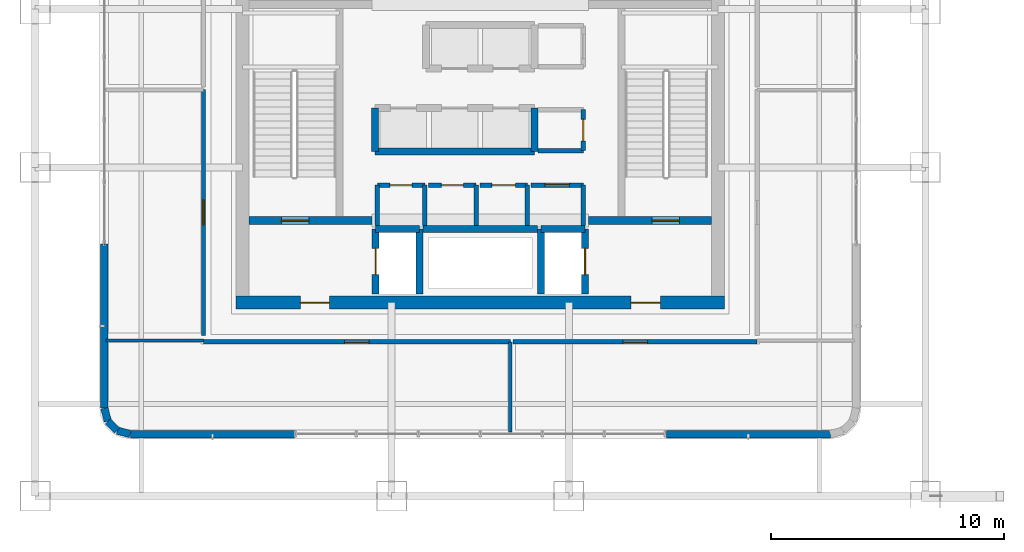
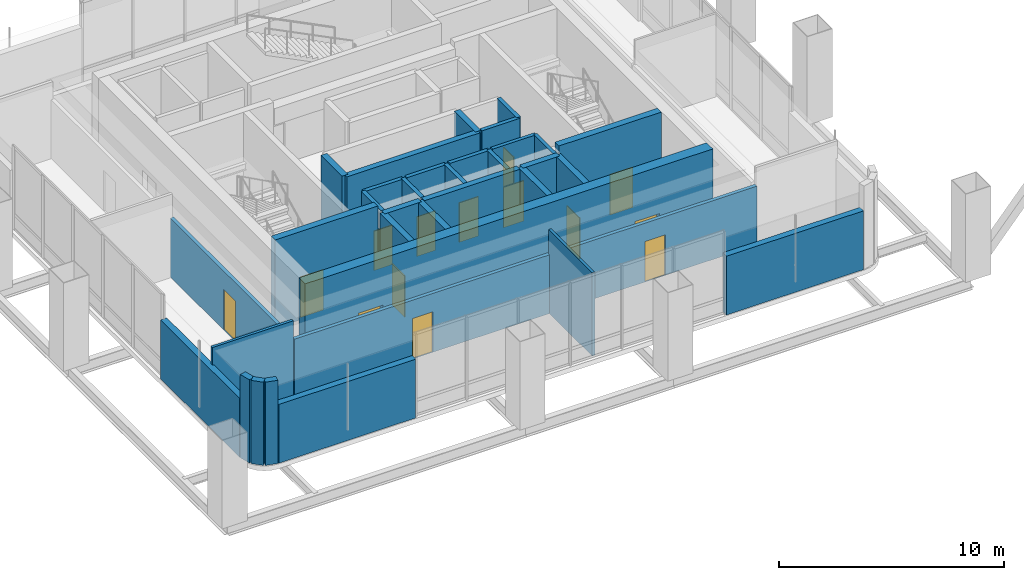
# One storey, part 20 of 33: 35 walls, 14 doors, 14 openings.
"""IFC4 building model written with IfcOpenShell, lengths in metres."""

from ifc_helpers import new_model, si_unit, direction, frame, frame_2d, origin, place, context, subcontext, project, spatial, rectangle, extrude, material, layer, layer_set, type_object, element, fill, save


model = new_model("IFC4")

# Units and contexts
model_context = context("Model", 3, precision=1e-05, world=origin(), true_north=direction((0.0, 1.0)))
body_context = subcontext(model_context, "Body", "Model", "MODEL_VIEW")
ifc_project = project(units=[si_unit("LENGTHUNIT", "METRE"), si_unit("AREAUNIT", "SQUARE_METRE"), si_unit("VOLUMEUNIT", "CUBIC_METRE"), si_unit("PLANEANGLEUNIT", "RADIAN"), si_unit("MASSUNIT", "GRAM", prefix="KILO")], contexts=[model_context])

# Site, building, storey
site_placement = place(None, origin())
site = spatial("IfcSite", under=ifc_project, at=site_placement, CompositionType="ELEMENT")
building_placement = place(site_placement, origin())
building = spatial("IfcBuilding", under=site, at=building_placement, Name="Punatoya Terracotta Tower", CompositionType="ELEMENT")
storey_placement = place(building_placement, frame((0.0, 0.0, 246.60009765625)))
storey = spatial("IfcBuildingStorey", under=building, at=storey_placement, Name="L58", CompositionType="ELEMENT", Elevation=246.60009765625)

# Wall, openings, doors
ifc_material_1 = material(Name="Concrete C50/60", Category="concrete")
ifc_layer_1 = layer(ifc_material_1, 0.550048828125)
ifc_layer_set_1 = layer_set([ifc_layer_1], Name="Concrete C50/60")
wall_type_1 = type_object("IfcWallType", Name="WL-COR-550", PredefinedType="SHEAR", material=ifc_layer_set_1)
wall_1_placement = place(storey_placement, frame((10.47509765625, -9.199951171875, 0.0), z_axis=(0.0, 0.0, 1.0), x_axis=(-1.0, 0.0, 0.0)))
wall_1 = element("IfcWall", 1, at=wall_1_placement, inside=storey, type_object=wall_type_1, Name="L58 Core Shear Wall S", PredefinedType="SHEAR", context=body_context, shape_type="SweptSolid", body=[
    extrude(rectangle(XDim=20.9501953125, YDim=0.550048828125, at=frame_2d((10.47509765625, 0.0))), origin(), (0.0, 0.0, 1.0), 4.7998046875),
])
opening_1_placement = place(wall_1_placement, frame((2.75, 0.0, 0.0)))
opening_1 = element("IfcOpeningElement", 2, at=opening_1_placement, cuts=wall_1, Name="Opening FD-L1", PredefinedType="OPENING", context=body_context, shape_type="SweptSolid", body=[
    extrude(rectangle(XDim=1.25, YDim=2.25, at=frame_2d((0.625, 1.125))), frame((0.0, 0.284912109375, 0.0), z_axis=(0.0, -1.0, 0.0), x_axis=(1.0, 0.0, 0.0)), (0.0, 0.0, 1.0), 0.570068359375),
])
opening_2_placement = place(wall_1_placement, frame((16.949951171875, 0.0, 0.0)))
opening_2 = element("IfcOpeningElement", 3, at=opening_2_placement, cuts=wall_1, Name="Opening FD-L1", PredefinedType="OPENING", context=body_context, shape_type="SweptSolid", body=[
    extrude(rectangle(XDim=1.25, YDim=2.25, at=frame_2d((0.625, 1.125))), frame((0.0, 0.284912109375, 0.0), z_axis=(0.0, -1.0, 0.0), x_axis=(1.0, 0.0, 0.0)), (0.0, 0.0, 1.0), 0.570068359375),
])
ifc_material_2 = material(Name="Galvanised Steel Smokeproof Fire Door", Category="steel")
door_type_1 = type_object("IfcDoorType", Name="DR-FFL-1250", OperationType="NOTDEFINED", PredefinedType="DOOR", material=ifc_material_2)
door_1_placement = place(opening_1_placement, origin())
door_1 = element("IfcDoor", 4, at=door_1_placement, inside=storey, type_object=door_type_1, Name="L58 East Firefighting Lobby Corridor Fire Door", OperationType="SINGLE_SWING_LEFT", OverallHeight=2.25, OverallWidth=1.25, PredefinedType="DOOR", context=body_context, shape_type="SweptSolid", body=[
    extrude(rectangle(XDim=1.25, YDim=2.25, at=frame_2d((0.625, 1.125))), frame((0.0, 0.02490234375, 0.0), z_axis=(0.0, -1.0, 0.0), x_axis=(1.0, 0.0, 0.0)), (0.0, 0.0, 1.0), 0.050048828125),
])
fill(opening_1, door_1)
door_2_placement = place(opening_2_placement, origin())
door_2 = element("IfcDoor", 5, at=door_2_placement, inside=storey, type_object=door_type_1, Name="L58 West Firefighting Lobby Corridor Fire Door", OperationType="SINGLE_SWING_RIGHT", OverallHeight=2.25, OverallWidth=1.25, PredefinedType="DOOR", context=body_context, shape_type="SweptSolid", body=[
    extrude(rectangle(XDim=1.25, YDim=2.25, at=frame_2d((0.625, 1.125))), frame((0.0, 0.02490234375, 0.0), z_axis=(0.0, -1.0, 0.0), x_axis=(1.0, 0.0, 0.0)), (0.0, 0.0, 1.0), 0.050048828125),
])
fill(opening_2, door_2)

# Wall
ifc_material_3 = material(Name="Gypsum Fireboard + Steel Stud", Category="steel")
ifc_layer_2 = layer(ifc_material_3, 0.179931640625)
ifc_layer_set_2 = layer_set([ifc_layer_2], Name="Gypsum Fireboard + Steel Stud")
wall_type_2 = type_object("IfcWallType", Name="WL-CORR-180", PredefinedType="PARTITIONING", material=ifc_layer_set_2)
wall_2_placement = place(storey_placement, frame((4.419921875, -5.89990234375, 0.0), z_axis=(0.0, 0.0, 1.0), x_axis=(0.0, 1.0, 0.0)))
element("IfcWall", 6, at=wall_2_placement, inside=storey, type_object=wall_type_2, Name="L58 Core Reprographics Studio Partition 08", PredefinedType="PARTITIONING", context=body_context, shape_type="SweptSolid", body=[
    extrude(rectangle(XDim=1.739990234375, YDim=0.179931640625, at=frame_2d((0.8701171875, 0.0))), origin(), (0.0, 0.0, 1.0), 4.52001953125),
])

# Wall, opening, door
wall_3_placement = place(storey_placement, frame((4.419921875, -4.159912109375, 0.0), z_axis=(0.0, 0.0, 1.0), x_axis=(-1.0, 0.0, 0.0)))
wall_3 = element("IfcWall", 7, at=wall_3_placement, inside=storey, type_object=wall_type_2, Name="L58 Core Reprographics Studio Partition 09", PredefinedType="PARTITIONING", context=body_context, shape_type="SweptSolid", body=[
    extrude(rectangle(XDim=2.239990234375, YDim=0.179931640625, at=frame_2d((1.1201171875, 0.0))), origin(), (0.0, 0.0, 1.0), 4.52001953125),
])
opening_3_placement = place(wall_3_placement, frame((0.594970703125, 0.0, 0.0)))
opening_3 = element("IfcOpeningElement", 8, at=opening_3_placement, cuts=wall_3, Name="Opening OD-01", PredefinedType="OPENING", context=body_context, shape_type="SweptSolid", body=[
    extrude(rectangle(XDim=1.050048828125, YDim=2.199951171875, at=frame_2d((0.52490234375, 1.10009765625))), frame((0.0, 0.099853515625, 0.0), z_axis=(0.0, -1.0, 0.0), x_axis=(1.0, 0.0, 0.0)), (0.0, 0.0, 1.0), 0.199951171875),
])
ifc_material_4 = material(Name="Bengal Teak Solid-Core Leaf")
door_type_2 = type_object("IfcDoorType", Name="DR-OFF-1050", OperationType="NOTDEFINED", PredefinedType="DOOR", material=ifc_material_4)
door_3_placement = place(opening_3_placement, origin())
door_3 = element("IfcDoor", 9, at=door_3_placement, inside=storey, type_object=door_type_2, Name="L58 Reprographics Studio Door", OperationType="SINGLE_SWING_RIGHT", OverallHeight=2.199951171875, OverallWidth=1.050048828125, PredefinedType="DOOR", context=body_context, shape_type="SweptSolid", body=[
    extrude(rectangle(XDim=1.050048828125, YDim=2.199951171875, at=frame_2d((0.52490234375, 1.10009765625))), frame((0.0, 0.02490234375, 0.0), z_axis=(0.0, -1.0, 0.0), x_axis=(1.0, 0.0, 0.0)), (0.0, 0.0, 1.0), 0.050048828125),
])
fill(opening_3, door_3)

wall_4_placement = place(storey_placement, frame((-11.8798828125, -10.8798828125, 0.0), z_axis=(0.0, 0.0, 1.0), x_axis=(1.0, 0.0, 0.0)))
wall_4 = element("IfcWall", 10, at=wall_4_placement, inside=storey, type_object=wall_type_2, Name="L58 Quantitative Practice Office Partition 23", PredefinedType="PARTITIONING", context=body_context, shape_type="SweptSolid", body=[
    extrude(rectangle(XDim=13.165771484375, YDim=0.179931640625, at=frame_2d((6.5830078125, 0.0))), origin(), (0.0, 0.0, 1.0), 3.19384765625),
])
opening_4_placement = place(wall_4_placement, frame((6.05810546875, 0.0, 0.0)))
opening_4 = element("IfcOpeningElement", 11, at=opening_4_placement, cuts=wall_4, Name="Opening OD-01", PredefinedType="OPENING", context=body_context, shape_type="SweptSolid", body=[
    extrude(rectangle(XDim=1.050048828125, YDim=2.199951171875, at=frame_2d((0.52490234375, 1.10009765625))), frame((0.0, 0.099853515625, 0.0), z_axis=(0.0, -1.0, 0.0), x_axis=(1.0, 0.0, 0.0)), (0.0, 0.0, 1.0), 0.199951171875),
])
door_4_placement = place(opening_4_placement, origin())
door_4 = element("IfcDoor", 12, at=door_4_placement, inside=storey, type_object=door_type_2, Name="L58 Quantitative Practice Office Door", OperationType="SINGLE_SWING_LEFT", OverallHeight=2.199951171875, OverallWidth=1.050048828125, PredefinedType="DOOR", context=body_context, shape_type="SweptSolid", body=[
    extrude(rectangle(XDim=1.050048828125, YDim=2.199951171875, at=frame_2d((0.52490234375, 1.10009765625))), frame((0.0, 0.02490234375, 0.0), z_axis=(0.0, -1.0, 0.0), x_axis=(1.0, 0.0, 0.0)), (0.0, 0.0, 1.0), 0.050048828125),
])
fill(opening_4, door_4)

wall_5_placement = place(storey_placement, frame((1.406005859375, -10.8798828125, 0.0), z_axis=(0.0, 0.0, 1.0), x_axis=(1.0, 0.0, 0.0)))
wall_5 = element("IfcWall", 13, at=wall_5_placement, inside=storey, type_object=wall_type_2, Name="L58 Digital Reference Library Partition 25", PredefinedType="PARTITIONING", context=body_context, shape_type="SweptSolid", body=[
    extrude(rectangle(XDim=10.473876953125, YDim=0.179931640625, at=frame_2d((5.23681640625, 0.0))), origin(), (0.0, 0.0, 1.0), 3.19384765625),
])
opening_5_placement = place(wall_5_placement, frame((4.7119140625, 0.0, 0.0)))
opening_5 = element("IfcOpeningElement", 14, at=opening_5_placement, cuts=wall_5, Name="Opening OD-01", PredefinedType="OPENING", context=body_context, shape_type="SweptSolid", body=[
    extrude(rectangle(XDim=1.050048828125, YDim=2.199951171875, at=frame_2d((0.52490234375, 1.10009765625))), frame((0.0, 0.099853515625, 0.0), z_axis=(0.0, -1.0, 0.0), x_axis=(1.0, 0.0, 0.0)), (0.0, 0.0, 1.0), 0.199951171875),
])
door_5_placement = place(opening_5_placement, origin())
door_5 = element("IfcDoor", 15, at=door_5_placement, inside=storey, type_object=door_type_2, Name="L58 Digital Reference Library Door", OperationType="SINGLE_SWING_RIGHT", OverallHeight=2.199951171875, OverallWidth=1.050048828125, PredefinedType="DOOR", context=body_context, shape_type="SweptSolid", body=[
    extrude(rectangle(XDim=1.050048828125, YDim=2.199951171875, at=frame_2d((0.52490234375, 1.10009765625))), frame((0.0, 0.02490234375, 0.0), z_axis=(0.0, -1.0, 0.0), x_axis=(1.0, 0.0, 0.0)), (0.0, 0.0, 1.0), 0.050048828125),
])
fill(opening_5, door_5)

wall_6_placement = place(storey_placement, frame((-11.8798828125, -0.06005859375, 0.0), z_axis=(0.0, 0.0, 1.0), x_axis=(0.0, -1.0, 0.0)))
wall_6 = element("IfcWall", 16, at=wall_6_placement, inside=storey, type_object=wall_type_2, Name="L58 Staff Wellness Studio Partition 28", PredefinedType="PARTITIONING", context=body_context, shape_type="SweptSolid", body=[
    extrude(rectangle(XDim=10.5400390625, YDim=0.179931640625, at=frame_2d((5.27001953125, 0.0))), origin(), (0.0, 0.0, 1.0), 3.19384765625),
])
opening_6_placement = place(wall_6_placement, frame((4.7451171875, 0.0, 0.0)))
opening_6 = element("IfcOpeningElement", 17, at=opening_6_placement, cuts=wall_6, Name="Opening OD-01", PredefinedType="OPENING", context=body_context, shape_type="SweptSolid", body=[
    extrude(rectangle(XDim=1.050048828125, YDim=2.199951171875, at=frame_2d((0.52490234375, 1.10009765625))), frame((0.0, 0.099853515625, 0.0), z_axis=(0.0, -1.0, 0.0), x_axis=(1.0, 0.0, 0.0)), (0.0, 0.0, 1.0), 0.199951171875),
])
door_6_placement = place(opening_6_placement, origin())
door_6 = element("IfcDoor", 18, at=door_6_placement, inside=storey, type_object=door_type_2, Name="L58 Staff Wellness Studio Door", OperationType="SINGLE_SWING_LEFT", OverallHeight=2.199951171875, OverallWidth=1.050048828125, PredefinedType="DOOR", context=body_context, shape_type="SweptSolid", body=[
    extrude(rectangle(XDim=1.050048828125, YDim=2.199951171875, at=frame_2d((0.52490234375, 1.10009765625))), frame((0.0, 0.02490234375, 0.0), z_axis=(0.0, -1.0, 0.0), x_axis=(1.0, 0.0, 0.0)), (0.0, 0.0, 1.0), 0.050048828125),
])
fill(opening_6, door_6)

# Walls
ifc_material_5 = material(Name="Precast concrete C40/50", Category="concrete")
ifc_layer_3 = layer(ifc_material_5, 0.320068359375)
ifc_layer_set_3 = layer_set([ifc_layer_3], Name="Precast concrete C40/50")
wall_type_3 = type_object("IfcWallType", Name="WL-EXT-320", PredefinedType="SOLIDWALL", material=ifc_layer_set_3)
for number, where, z_axis, x_axis, name in (
    (19, (-15.016845703125, -14.840087890625, 0.0), (0.0, 0.0, 1.0), (1.0, 0.0, 0.0), "L58 Terracotta Braced Facade Wall S1"),
    (20, (7.97998046875, -14.840087890625, 0.0), (0.0, 0.0, 1.0), (1.0, 0.0, 0.0), "L58 Terracotta Braced Facade Wall S2"),
    (21, (-16.1298828125, -6.68994140625, 0.0), (0.0, 0.0, 1.0), (0.0, -1.0, 0.0), "L58 Terracotta Braced Facade Wall W2"),
):
    element("IfcWall", number, at=place(storey_placement, frame(where, z_axis=z_axis, x_axis=x_axis)), inside=storey, type_object=wall_type_3, Name=name, PredefinedType="SOLIDWALL", context=body_context, shape_type="SweptSolid", body=[
        extrude(rectangle(XDim=7.036865234375, YDim=0.320068359375, at=frame_2d((3.5185546875, 0.0))), origin(), (0.0, 0.0, 1.0), 3.19384765625),
    ])
wall_7_placement = place(storey_placement, frame((-16.1298828125, -13.726806640625, 0.0), z_axis=(0.0, 0.0, 1.0), x_axis=(0.255650250031, -0.966769336325, 0.0)))
element("IfcWall", 22, at=wall_7_placement, inside=storey, type_object=wall_type_3, Name="L58 Rounded Terracotta Corner Pier 14", PredefinedType="SOLIDWALL", context=body_context, shape_type="SweptSolid", body=[
    extrude(rectangle(XDim=0.58154296875, YDim=0.320068359375, at=frame_2d((0.290771484375, 0.0))), origin(), (0.0, 0.0, 1.0), 4.52001953125),
])
wall_8_placement = place(storey_placement, frame((-15.981201171875, -14.2890625, 0.0), z_axis=(0.0, 0.0, 1.0), x_axis=(0.707106781187, -0.707106781187, 0.0)))
element("IfcWall", 23, at=wall_8_placement, inside=storey, type_object=wall_type_3, Name="L58 Rounded Terracotta Corner Pier 15", PredefinedType="SOLIDWALL", context=body_context, shape_type="SweptSolid", body=[
    extrude(rectangle(XDim=0.568603515625, YDim=0.320068359375, at=frame_2d((0.2841796875, 0.0))), origin(), (0.0, 0.0, 1.0), 4.52001953125),
])
wall_9_placement = place(storey_placement, frame((-15.5791015625, -14.691162109375, 0.0), z_axis=(0.0, 0.0, 1.0), x_axis=(0.966665515501, -0.256042537758, 0.0)))
element("IfcWall", 24, at=wall_9_placement, inside=storey, type_object=wall_type_3, Name="L58 Rounded Terracotta Corner Pier 16", PredefinedType="SOLIDWALL", context=body_context, shape_type="SweptSolid", body=[
    extrude(rectangle(XDim=0.58154296875, YDim=0.320068359375, at=frame_2d((0.290771484375, 0.0))), origin(), (0.0, 0.0, 1.0), 4.52001953125),
])
ifc_material_6 = material(Name="Concrete C40/50", Category="concrete")
ifc_layer_4 = layer(ifc_material_6, 0.199951171875)
ifc_layer_set_4 = layer_set([ifc_layer_4], Name="Concrete C40/50")
wall_type_4 = type_object("IfcWallType", Name="WL-INT-200", PredefinedType="SOLIDWALL", material=ifc_layer_set_4)
wall_10_placement = place(storey_placement, frame((-2.3798828125, -5.89990234375, 0.0), z_axis=(0.0, 0.0, 1.0), x_axis=(0.0, 1.0, 0.0)))
element("IfcWall", 25, at=wall_10_placement, inside=storey, type_object=wall_type_4, Name="L58 Male Washroom Partition 01", PredefinedType="SOLIDWALL", context=body_context, shape_type="SweptSolid", body=[
    extrude(rectangle(XDim=1.739990234375, YDim=0.199951171875, at=frame_2d((0.8701171875, 0.0))), origin(), (0.0, 0.0, 1.0), 4.52001953125),
])

# Wall, opening, door
wall_11_placement = place(storey_placement, frame((-2.3798828125, -4.159912109375, 0.0), z_axis=(0.0, 0.0, 1.0), x_axis=(-1.0, 0.0, 0.0)))
wall_11 = element("IfcWall", 26, at=wall_11_placement, inside=storey, type_object=wall_type_4, Name="L58 Male Washroom Partition 02", PredefinedType="SOLIDWALL", context=body_context, shape_type="SweptSolid", body=[
    extrude(rectangle(XDim=2.0400390625, YDim=0.199951171875, at=frame_2d((1.02001953125, 0.0))), origin(), (0.0, 0.0, 1.0), 4.52001953125),
])
opening_7_placement = place(wall_11_placement, frame((0.544921875, 0.0, 0.0)))
opening_7 = element("IfcOpeningElement", 27, at=opening_7_placement, cuts=wall_11, Name="Opening WD-01", PredefinedType="OPENING", context=body_context, shape_type="SweptSolid", body=[
    extrude(rectangle(XDim=0.949951171875, YDim=2.14990234375, at=frame_2d((0.47509765625, 1.074951171875))), frame((0.0, 0.10986328125, 0.0), z_axis=(0.0, -1.0, 0.0), x_axis=(1.0, 0.0, 0.0)), (0.0, 0.0, 1.0), 0.219970703125),
])
ifc_material_7 = material(Name="Moisture-Resistant Laminate Timber Leaf", Category="wood")
door_type_3 = type_object("IfcDoorType", Name="DR-WC-950", OperationType="NOTDEFINED", PredefinedType="DOOR", material=ifc_material_7)
door_7_placement = place(opening_7_placement, origin())
door_7 = element("IfcDoor", 28, at=door_7_placement, inside=storey, type_object=door_type_3, Name="L58 Male Washroom Door", OperationType="SINGLE_SWING_LEFT", OverallHeight=2.14990234375, OverallWidth=0.949951171875, PredefinedType="DOOR", context=body_context, shape_type="SweptSolid", body=[
    extrude(rectangle(XDim=0.949951171875, YDim=2.14990234375, at=frame_2d((0.47509765625, 1.074951171875))), frame((0.0, 0.02490234375, 0.0), z_axis=(0.0, -1.0, 0.0), x_axis=(1.0, 0.0, 0.0)), (0.0, 0.0, 1.0), 0.050048828125),
])
fill(opening_7, door_7)

# Walls
for number, where, z_axis, x_axis, name in (
    (29, (-4.419921875, -4.159912109375, 0.0), (0.0, 0.0, 1.0), (0.0, -1.0, 0.0), "L58 Male Washroom Partition 03"),
    (30, (-0.179931640625, -5.89990234375, 0.0), (0.0, 0.0, 1.0), (0.0, 1.0, 0.0), "L58 Female Washroom Partition 04"),
):
    element("IfcWall", number, at=place(storey_placement, frame(where, z_axis=z_axis, x_axis=x_axis)), inside=storey, type_object=wall_type_4, Name=name, PredefinedType="SOLIDWALL", context=body_context, shape_type="SweptSolid", body=[
        extrude(rectangle(XDim=1.739990234375, YDim=0.199951171875, at=frame_2d((0.8701171875, 0.0))), origin(), (0.0, 0.0, 1.0), 4.52001953125),
    ])

# Wall, opening, door
wall_12_placement = place(storey_placement, frame((-0.179931640625, -4.159912109375, 0.0), z_axis=(0.0, 0.0, 1.0), x_axis=(-1.0, 0.0, 0.0)))
wall_12 = element("IfcWall", 31, at=wall_12_placement, inside=storey, type_object=wall_type_4, Name="L58 Female Washroom Partition 05", PredefinedType="SOLIDWALL", context=body_context, shape_type="SweptSolid", body=[
    extrude(rectangle(XDim=2.0400390625, YDim=0.199951171875, at=frame_2d((1.02001953125, 0.0))), origin(), (0.0, 0.0, 1.0), 4.52001953125),
])
opening_8_placement = place(wall_12_placement, frame((0.544921875, 0.0, 0.0)))
opening_8 = element("IfcOpeningElement", 32, at=opening_8_placement, cuts=wall_12, Name="Opening WD-01", PredefinedType="OPENING", context=body_context, shape_type="SweptSolid", body=[
    extrude(rectangle(XDim=0.949951171875, YDim=2.14990234375, at=frame_2d((0.47509765625, 1.074951171875))), frame((0.0, 0.10986328125, 0.0), z_axis=(0.0, -1.0, 0.0), x_axis=(1.0, 0.0, 0.0)), (0.0, 0.0, 1.0), 0.219970703125),
])
door_8_placement = place(opening_8_placement, origin())
door_8 = element("IfcDoor", 33, at=door_8_placement, inside=storey, type_object=door_type_3, Name="L58 Female Washroom Door", OperationType="SINGLE_SWING_RIGHT", OverallHeight=2.14990234375, OverallWidth=0.949951171875, PredefinedType="DOOR", context=body_context, shape_type="SweptSolid", body=[
    extrude(rectangle(XDim=0.949951171875, YDim=2.14990234375, at=frame_2d((0.47509765625, 1.074951171875))), frame((0.0, 0.02490234375, 0.0), z_axis=(0.0, -1.0, 0.0), x_axis=(1.0, 0.0, 0.0)), (0.0, 0.0, 1.0), 0.050048828125),
])
fill(opening_8, door_8)

# Wall
wall_13_placement = place(storey_placement, frame((2.02001953125, -5.89990234375, 0.0), z_axis=(0.0, 0.0, 1.0), x_axis=(0.0, 1.0, 0.0)))
element("IfcWall", 34, at=wall_13_placement, inside=storey, type_object=wall_type_4, Name="L58 Accessible Universal Washroom Partition 06", PredefinedType="SOLIDWALL", context=body_context, shape_type="SweptSolid", body=[
    extrude(rectangle(XDim=1.739990234375, YDim=0.199951171875, at=frame_2d((0.8701171875, 0.0))), origin(), (0.0, 0.0, 1.0), 4.52001953125),
])

# Wall, opening, door
wall_14_placement = place(storey_placement, frame((2.02001953125, -4.159912109375, 0.0), z_axis=(0.0, 0.0, 1.0), x_axis=(-1.0, 0.0, 0.0)))
wall_14 = element("IfcWall", 35, at=wall_14_placement, inside=storey, type_object=wall_type_4, Name="L58 Accessible Universal Washroom Partition 07", PredefinedType="SOLIDWALL", context=body_context, shape_type="SweptSolid", body=[
    extrude(rectangle(XDim=2.0400390625, YDim=0.199951171875, at=frame_2d((1.02001953125, 0.0))), origin(), (0.0, 0.0, 1.0), 4.52001953125),
])
opening_9_placement = place(wall_14_placement, frame((0.52001953125, 0.0, 0.0)))
opening_9 = element("IfcOpeningElement", 36, at=opening_9_placement, cuts=wall_14, Name="Opening AWD-1", PredefinedType="OPENING", context=body_context, shape_type="SweptSolid", body=[
    extrude(rectangle(XDim=1.0, YDim=2.14990234375, at=frame_2d((0.5, 1.074951171875))), frame((0.0, 0.10986328125, 0.0), z_axis=(0.0, -1.0, 0.0), x_axis=(1.0, 0.0, 0.0)), (0.0, 0.0, 1.0), 0.219970703125),
])
ifc_material_8 = material(Name="Bengal Teak Accessible WC Leaf")
door_type_4 = type_object("IfcDoorType", Name="DR-ACC-1000", OperationType="NOTDEFINED", PredefinedType="DOOR", material=ifc_material_8)
door_9_placement = place(opening_9_placement, origin())
door_9 = element("IfcDoor", 37, at=door_9_placement, inside=storey, type_object=door_type_4, Name="L58 Accessible Universal Washroom Door", OperationType="SINGLE_SWING_LEFT", OverallHeight=2.14990234375, OverallWidth=1.0, PredefinedType="DOOR", context=body_context, shape_type="SweptSolid", body=[
    extrude(rectangle(XDim=1.0, YDim=2.14990234375, at=frame_2d((0.5, 1.074951171875))), frame((0.0, 0.02490234375, 0.0), z_axis=(0.0, -1.0, 0.0), x_axis=(1.0, 0.0, 0.0)), (0.0, 0.0, 1.0), 0.050048828125),
])
fill(opening_9, door_9)

wall_15_placement = place(storey_placement, frame((4.419921875, -2.679931640625, 0.0), z_axis=(0.0, 0.0, 1.0), x_axis=(0.0, 1.0, 0.0)))
wall_15 = element("IfcWall", 38, at=wall_15_placement, inside=storey, type_object=wall_type_4, Name="L58 East Core Reprographics Store Partition 10", PredefinedType="SOLIDWALL", context=body_context, shape_type="SweptSolid", body=[
    extrude(rectangle(XDim=1.760009765625, YDim=0.199951171875, at=frame_2d((0.8798828125, 0.0))), origin(), (0.0, 0.0, 1.0), 4.52001953125),
])
opening_10_placement = place(wall_15_placement, frame((0.419921875, 0.0, 0.0)))
opening_10 = element("IfcOpeningElement", 39, at=opening_10_placement, cuts=wall_15, Name="Opening FD-R1", PredefinedType="OPENING", context=body_context, shape_type="SweptSolid", body=[
    extrude(rectangle(XDim=0.919921875, YDim=2.10009765625, at=frame_2d((0.4599609375, 1.050048828125))), frame((0.0, 0.10986328125, 0.0), z_axis=(0.0, -1.0, 0.0), x_axis=(1.0, 0.0, 0.0)), (0.0, 0.0, 1.0), 0.219970703125),
])
ifc_material_9 = material(Name="Galvanised Steel Riser Fire Access Door", Category="steel")
door_type_5 = type_object("IfcDoorType", Name="DR-RSR-920", OperationType="NOTDEFINED", PredefinedType="DOOR", material=ifc_material_9)
door_10_placement = place(opening_10_placement, origin())
door_10 = element("IfcDoor", 40, at=door_10_placement, inside=storey, type_object=door_type_5, Name="L58 East Core Reprographics Store Fire Door", OperationType="SINGLE_SWING_LEFT", OverallHeight=2.10009765625, OverallWidth=0.919921875, PredefinedType="DOOR", context=body_context, shape_type="SweptSolid", body=[
    extrude(rectangle(XDim=0.919921875, YDim=2.10009765625, at=frame_2d((0.4599609375, 1.050048828125))), frame((0.0, 0.02490234375, 0.0), z_axis=(0.0, -1.0, 0.0), x_axis=(1.0, 0.0, 0.0)), (0.0, 0.0, 1.0), 0.050048828125),
])
fill(opening_10, door_10)

# Walls
wall_16_placement = place(storey_placement, frame((2.47998046875, -2.679931640625, 0.0), z_axis=(0.0, 0.0, 1.0), x_axis=(1.0, 0.0, 0.0)))
element("IfcWall", 41, at=wall_16_placement, inside=storey, type_object=wall_type_4, Name="L58 East Core Reprographics Store Partition 12", PredefinedType="SOLIDWALL", context=body_context, shape_type="SweptSolid", body=[
    extrude(rectangle(XDim=1.93994140625, YDim=0.199951171875, at=frame_2d((0.969970703125, 0.0))), origin(), (0.0, 0.0, 1.0), 4.52001953125),
])
ifc_material_10 = material(Name="Acoustic Gypsum + Steel Stud", Category="steel")
ifc_layer_5 = layer(ifc_material_10, 0.139892578125)
ifc_layer_set_5 = layer_set([ifc_layer_5], Name="Acoustic Gypsum + Steel Stud")
wall_type_5 = type_object("IfcWallType", Name="WL-OFF-140", PredefinedType="PARTITIONING", material=ifc_layer_set_5)
wall_17_placement = place(storey_placement, frame((-16.050048828125, -10.820068359375, 0.0), z_axis=(0.0, 0.0, 1.0), x_axis=(1.0, 0.0, 0.0)))
element("IfcWall", 42, at=wall_17_placement, inside=storey, type_object=wall_type_5, Name="L58 Quantitative Practice Office Partition 22", PredefinedType="PARTITIONING", context=body_context, shape_type="SweptSolid", body=[
    extrude(rectangle(XDim=4.170166015625, YDim=0.139892578125, at=frame_2d((2.0849609375, 0.0))), origin(), (0.0, 0.0, 1.0), 4.15380859375),
])
wall_18_placement = place(storey_placement, frame((1.285888671875, -10.8798828125, 0.0), z_axis=(0.0, 0.0, 1.0), x_axis=(0.0, -1.0, 0.0)))
element("IfcWall", 43, at=wall_18_placement, inside=storey, type_object=wall_type_5, Name="L58 Quantitative Practice Office Partition 24", PredefinedType="PARTITIONING", context=body_context, shape_type="SweptSolid", body=[
    extrude(rectangle(XDim=3.880126953125, YDim=0.139892578125, at=frame_2d((1.93994140625, 0.0))), origin(), (0.0, 0.0, 1.0), 4.52001953125),
])

# Wall, opening, door
ifc_layer_6 = layer(ifc_material_6, 0.300048828125)
ifc_layer_set_6 = layer_set([ifc_layer_6], Name="Concrete C40/50")
wall_type_6 = type_object("IfcWallType", Name="WL-SHF-300", PredefinedType="SOLIDWALL", material=ifc_layer_set_6)
wall_19_placement = place(storey_placement, frame((-4.489990234375, -8.820068359375, 0.0), z_axis=(0.0, 0.0, 1.0), x_axis=(0.0, 1.0, 0.0)))
wall_19 = element("IfcWall", 44, at=wall_19_placement, inside=storey, type_object=wall_type_6, Name="L58 FFL-1 Front Hoistway Wall", PredefinedType="SOLIDWALL", context=body_context, shape_type="SweptSolid", body=[
    extrude(rectangle(XDim=2.77001953125, YDim=0.300048828125, at=frame_2d((1.385009765625, 0.0))), origin(), (0.0, 0.0, 1.0), 4.52001953125),
])
opening_11_placement = place(wall_19_placement, frame((0.824951171875, 0.0, 0.0)))
opening_11 = element("IfcOpeningElement", 45, at=opening_11_placement, cuts=wall_19, Name="Opening LD-02", PredefinedType="OPENING", context=body_context, shape_type="SweptSolid", body=[
    extrude(rectangle(XDim=1.1201171875, YDim=2.25, at=frame_2d((0.56005859375, 1.125))), frame((0.0, 0.159912109375, 0.0), z_axis=(0.0, -1.0, 0.0), x_axis=(1.0, 0.0, 0.0)), (0.0, 0.0, 1.0), 0.320068359375),
])
ifc_material_11 = material(Name="Stainless Steel Lift Landing Door", Category="steel")
door_type_6 = type_object("IfcDoorType", Name="DR-LND-1120", OperationType="NOTDEFINED", PredefinedType="DOOR", material=ifc_material_11)
door_11_placement = place(opening_11_placement, origin())
door_11 = element("IfcDoor", 46, at=door_11_placement, inside=storey, type_object=door_type_6, Name="L58 Firefighting Lift FFL-1 Sliding Landing Door", OperationType="SLIDING_TO_LEFT", OverallHeight=2.25, OverallWidth=1.1201171875, PredefinedType="DOOR", context=body_context, shape_type="SweptSolid", body=[
    extrude(rectangle(XDim=1.1201171875, YDim=2.25, at=frame_2d((0.56005859375, 1.125))), frame((0.0, 0.02490234375, 0.0), z_axis=(0.0, -1.0, 0.0), x_axis=(1.0, 0.0, 0.0)), (0.0, 0.0, 1.0), 0.050048828125),
])
fill(opening_11, door_11)

# Walls
wall_20_placement = place(storey_placement, frame((-2.610107421875, -8.820068359375, 0.0), z_axis=(0.0, 0.0, 1.0), x_axis=(0.0, 1.0, 0.0)))
element("IfcWall", 47, at=wall_20_placement, inside=storey, type_object=wall_type_6, Name="L58 FFL-1 Rear Hoistway Wall", PredefinedType="SOLIDWALL", context=body_context, shape_type="SweptSolid", body=[
    extrude(rectangle(XDim=2.77001953125, YDim=0.300048828125, at=frame_2d((1.385009765625, 0.0))), origin(), (0.0, 0.0, 1.0), 4.52001953125),
])
wall_21_placement = place(storey_placement, frame((-4.489990234375, -6.050048828125, 0.0), z_axis=(0.0, 0.0, 1.0), x_axis=(1.0, 0.0, 0.0)))
element("IfcWall", 48, at=wall_21_placement, inside=storey, type_object=wall_type_6, Name="L58 FFL-1 North Hoistway Wall", PredefinedType="SOLIDWALL", context=body_context, shape_type="SweptSolid", body=[
    extrude(rectangle(XDim=1.8798828125, YDim=0.300048828125, at=frame_2d((0.93994140625, 0.0))), origin(), (0.0, 0.0, 1.0), 4.52001953125),
])

# Wall, opening, door
wall_22_placement = place(storey_placement, frame((4.489990234375, -8.820068359375, 0.0), z_axis=(0.0, 0.0, 1.0), x_axis=(0.0, 1.0, 0.0)))
wall_22 = element("IfcWall", 49, at=wall_22_placement, inside=storey, type_object=wall_type_6, Name="L58 FFL-2 Front Hoistway Wall", PredefinedType="SOLIDWALL", context=body_context, shape_type="SweptSolid", body=[
    extrude(rectangle(XDim=2.77001953125, YDim=0.300048828125, at=frame_2d((1.385009765625, 0.0))), origin(), (0.0, 0.0, 1.0), 4.52001953125),
])
opening_12_placement = place(wall_22_placement, frame((0.824951171875, 0.0, 0.0)))
opening_12 = element("IfcOpeningElement", 50, at=opening_12_placement, cuts=wall_22, Name="Opening LD-02", PredefinedType="OPENING", context=body_context, shape_type="SweptSolid", body=[
    extrude(rectangle(XDim=1.1201171875, YDim=2.25, at=frame_2d((0.56005859375, 1.125))), frame((0.0, 0.159912109375, 0.0), z_axis=(0.0, -1.0, 0.0), x_axis=(1.0, 0.0, 0.0)), (0.0, 0.0, 1.0), 0.320068359375),
])
door_12_placement = place(opening_12_placement, origin())
door_12 = element("IfcDoor", 51, at=door_12_placement, inside=storey, type_object=door_type_6, Name="L58 Firefighting Lift FFL-2 Sliding Landing Door", OperationType="SLIDING_TO_RIGHT", OverallHeight=2.25, OverallWidth=1.1201171875, PredefinedType="DOOR", context=body_context, shape_type="SweptSolid", body=[
    extrude(rectangle(XDim=1.1201171875, YDim=2.25, at=frame_2d((0.56005859375, 1.125))), frame((0.0, 0.02490234375, 0.0), z_axis=(0.0, -1.0, 0.0), x_axis=(1.0, 0.0, 0.0)), (0.0, 0.0, 1.0), 0.050048828125),
])
fill(opening_12, door_12)

# Walls
wall_23_placement = place(storey_placement, frame((2.610107421875, -8.820068359375, 0.0), z_axis=(0.0, 0.0, 1.0), x_axis=(0.0, 1.0, 0.0)))
element("IfcWall", 52, at=wall_23_placement, inside=storey, type_object=wall_type_6, Name="L58 FFL-2 Rear Hoistway Wall", PredefinedType="SOLIDWALL", context=body_context, shape_type="SweptSolid", body=[
    extrude(rectangle(XDim=2.77001953125, YDim=0.300048828125, at=frame_2d((1.385009765625, 0.0))), origin(), (0.0, 0.0, 1.0), 4.52001953125),
])
wall_24_placement = place(storey_placement, frame((2.610107421875, -6.050048828125, 0.0), z_axis=(0.0, 0.0, 1.0), x_axis=(1.0, 0.0, 0.0)))
element("IfcWall", 53, at=wall_24_placement, inside=storey, type_object=wall_type_6, Name="L58 FFL-2 North Hoistway Wall", PredefinedType="SOLIDWALL", context=body_context, shape_type="SweptSolid", body=[
    extrude(rectangle(XDim=1.8798828125, YDim=0.300048828125, at=frame_2d((0.93994140625, 0.0))), origin(), (0.0, 0.0, 1.0), 4.52001953125),
])
wall_25_placement = place(storey_placement, frame((-4.52001953125, -2.719970703125, 0.0), z_axis=(0.0, 0.0, 1.0), x_axis=(1.0, 0.0, 0.0)))
element("IfcWall", 54, at=wall_25_placement, inside=storey, type_object=wall_type_6, Name="L58 South Lift Bank Rear Shaft Wall", PredefinedType="SOLIDWALL", context=body_context, shape_type="SweptSolid", body=[
    extrude(rectangle(XDim=6.840087890625, YDim=0.300048828125, at=frame_2d((3.419921875, 0.0))), origin(), (0.0, 0.0, 1.0), 4.52001953125),
])
for number, where, z_axis, x_axis, name in (
    (55, (-4.52001953125, -2.719970703125, 0.0), (0.0, 0.0, 1.0), (0.0, 1.0, 0.0), "L58 South Lift Bank West End Wall"),
    (56, (2.320068359375, -2.719970703125, 0.0), (0.0, 0.0, 1.0), (0.0, 1.0, 0.0), "L58 South Lift Bank East End Wall"),
):
    element("IfcWall", number, at=place(storey_placement, frame(where, z_axis=z_axis, x_axis=x_axis)), inside=storey, type_object=wall_type_6, Name=name, PredefinedType="SOLIDWALL", context=body_context, shape_type="SweptSolid", body=[
        extrude(rectangle(XDim=1.8798828125, YDim=0.300048828125, at=frame_2d((0.93994140625, 0.0))), origin(), (0.0, 0.0, 1.0), 4.52001953125),
    ])
wall_26_placement = place(storey_placement, frame((-2.449951171875, -6.050048828125, 0.0), z_axis=(0.0, 0.0, 1.0), x_axis=(1.0, 0.0, 0.0)))
element("IfcWall", 57, at=wall_26_placement, inside=storey, type_object=wall_type_6, Name="L58 Observation Shuttle Rear Hoistway Wall", PredefinedType="SOLIDWALL", context=body_context, shape_type="SweptSolid", body=[
    extrude(rectangle(XDim=4.89990234375, YDim=0.300048828125, at=frame_2d((2.449951171875, 0.0))), origin(), (0.0, 0.0, 1.0), 4.52001953125),
])

# Wall, opening, door
ifc_layer_7 = layer(ifc_material_1, 0.35009765625)
ifc_layer_set_7 = layer_set([ifc_layer_7], Name="Concrete C50/60")
wall_type_7 = type_object("IfcWallType", Name="WL-SHF-350", PredefinedType="SOLIDWALL", material=ifc_layer_set_7)
wall_27_placement = place(storey_placement, frame((-9.925048828125, -5.679931640625, 0.0), z_axis=(0.0, 0.0, 1.0), x_axis=(1.0, 0.0, 0.0)))
wall_27 = element("IfcWall", 58, at=wall_27_placement, inside=storey, type_object=wall_type_7, Name="L58 Core Web Wall CSW-L", PredefinedType="SOLIDWALL", context=body_context, shape_type="SweptSolid", body=[
    extrude(rectangle(XDim=5.275146484375, YDim=0.35009765625, at=frame_2d((2.6376953125, 0.0))), origin(), (0.0, 0.0, 1.0), 4.7998046875),
])
opening_13_placement = place(wall_27_placement, frame((1.385009765625, 0.0, 0.0)))
opening_13 = element("IfcOpeningElement", 59, at=opening_13_placement, cuts=wall_27, Name="Opening SD-01", PredefinedType="OPENING", context=body_context, shape_type="SweptSolid", body=[
    extrude(rectangle(XDim=1.179931640625, YDim=2.199951171875, at=frame_2d((0.58984375, 1.10009765625))), frame((0.0, 0.18505859375, 0.0), z_axis=(0.0, -1.0, 0.0), x_axis=(1.0, 0.0, 0.0)), (0.0, 0.0, 1.0), 0.3701171875),
])
ifc_material_12 = material(Name="Galvanised Steel Pressurized Stair Fire Door", Category="steel")
door_type_7 = type_object("IfcDoorType", Name="DR-STR-1180", OperationType="NOTDEFINED", PredefinedType="DOOR", material=ifc_material_12)
door_13_placement = place(opening_13_placement, origin())
door_13 = element("IfcDoor", 60, at=door_13_placement, inside=storey, type_object=door_type_7, Name="L58 Stair ST-1 Smokeproof Lobby Fire Door", OperationType="SINGLE_SWING_LEFT", OverallHeight=2.199951171875, OverallWidth=1.179931640625, PredefinedType="DOOR", context=body_context, shape_type="SweptSolid", body=[
    extrude(rectangle(XDim=1.179931640625, YDim=2.199951171875, at=frame_2d((0.58984375, 1.10009765625))), frame((0.0, 0.02490234375, 0.0), z_axis=(0.0, -1.0, 0.0), x_axis=(1.0, 0.0, 0.0)), (0.0, 0.0, 1.0), 0.050048828125),
])
fill(opening_13, door_13)

wall_28_placement = place(storey_placement, frame((4.64990234375, -5.679931640625, 0.0), z_axis=(0.0, 0.0, 1.0), x_axis=(1.0, 0.0, 0.0)))
wall_28 = element("IfcWall", 61, at=wall_28_placement, inside=storey, type_object=wall_type_7, Name="L58 Core Web Wall CSW-R", PredefinedType="SOLIDWALL", context=body_context, shape_type="SweptSolid", body=[
    extrude(rectangle(XDim=5.275146484375, YDim=0.35009765625, at=frame_2d((2.6376953125, 0.0))), origin(), (0.0, 0.0, 1.0), 4.7998046875),
])
opening_14_placement = place(wall_28_placement, frame((2.7099609375, 0.0, 0.0)))
opening_14 = element("IfcOpeningElement", 62, at=opening_14_placement, cuts=wall_28, Name="Opening SD-01", PredefinedType="OPENING", context=body_context, shape_type="SweptSolid", body=[
    extrude(rectangle(XDim=1.179931640625, YDim=2.199951171875, at=frame_2d((0.58984375, 1.10009765625))), frame((0.0, 0.18505859375, 0.0), z_axis=(0.0, -1.0, 0.0), x_axis=(1.0, 0.0, 0.0)), (0.0, 0.0, 1.0), 0.3701171875),
])
door_14_placement = place(opening_14_placement, origin())
door_14 = element("IfcDoor", 63, at=door_14_placement, inside=storey, type_object=door_type_7, Name="L58 Stair ST-2 Smokeproof Lobby Fire Door", OperationType="SINGLE_SWING_RIGHT", OverallHeight=2.199951171875, OverallWidth=1.179931640625, PredefinedType="DOOR", context=body_context, shape_type="SweptSolid", body=[
    extrude(rectangle(XDim=1.179931640625, YDim=2.199951171875, at=frame_2d((0.58984375, 1.10009765625))), frame((0.0, 0.02490234375, 0.0), z_axis=(0.0, -1.0, 0.0), x_axis=(1.0, 0.0, 0.0)), (0.0, 0.0, 1.0), 0.050048828125),
])
fill(opening_14, door_14)

save(model, "model.ifc")
